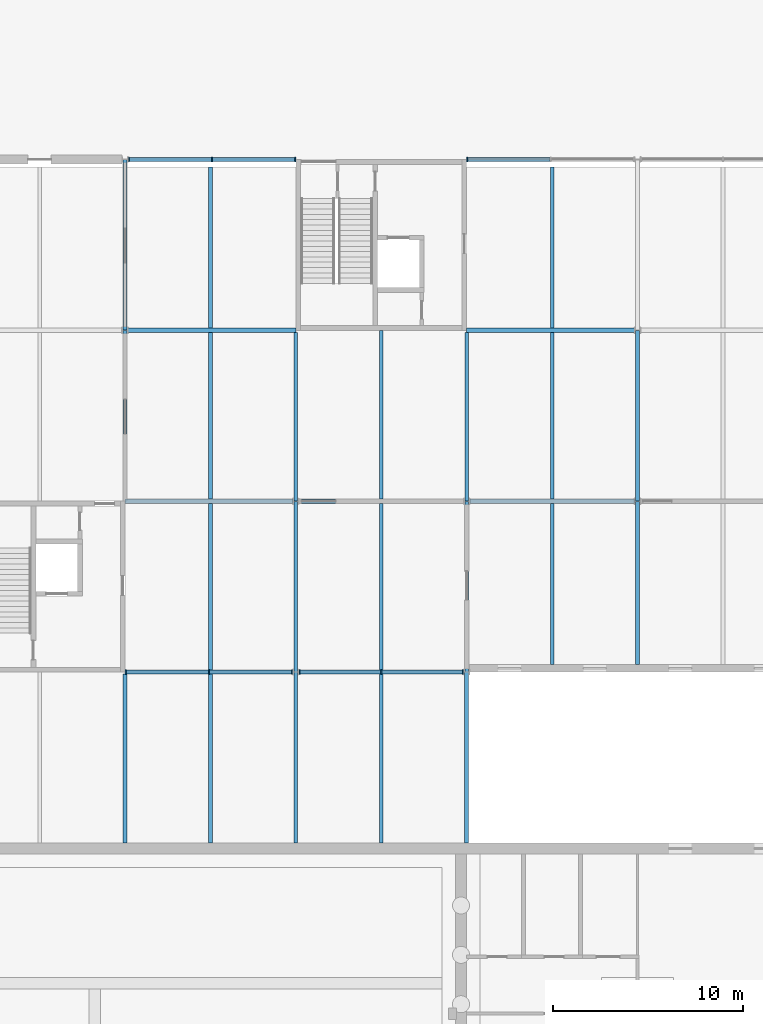
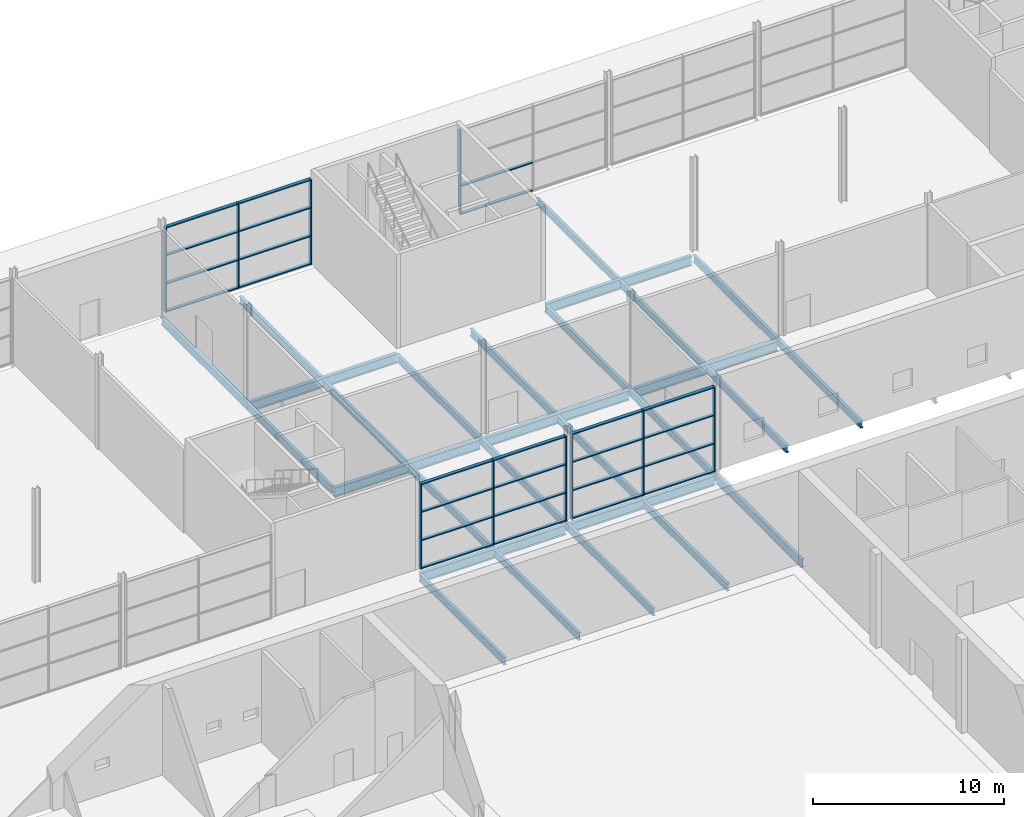
# One storey, part 51 of 97: 36 members, 28 beams, 4 elements without a shape of their own.
"""IFC4 building model written with IfcOpenShell, lengths in metres."""

from ifc_helpers import new_model, si_unit, direction, frame, origin, origin_2d, place, context, subcontext, project, spatial, rectangle, i_section, extrude, material, layer, layer_set, material_profile, profile_set, type_object, element, aggregate, save


model = new_model("IFC4")

# Units and contexts
model_context = context("Model", 3, precision=1e-05, world=origin(), true_north=direction((0.0, 1.0)))
body_context = subcontext(model_context, "Body", "Model", "MODEL_VIEW")
ifc_project = project(units=[si_unit("LENGTHUNIT", "METRE"), si_unit("AREAUNIT", "SQUARE_METRE"), si_unit("VOLUMEUNIT", "CUBIC_METRE"), si_unit("PLANEANGLEUNIT", "RADIAN"), si_unit("MASSUNIT", "GRAM", prefix="KILO")], contexts=[model_context])

# Site, building, storey
site_placement = place(None, origin())
site = spatial("IfcSite", under=ifc_project, at=site_placement, CompositionType="ELEMENT")
building_placement = place(site_placement, origin())
building = spatial("IfcBuilding", under=site, at=building_placement, Name="Corbel Yard City Hall", CompositionType="ELEMENT")
storey_placement = place(building_placement, origin())
storey = spatial("IfcBuildingStorey", under=building, at=storey_placement, Name="L00", CompositionType="ELEMENT", Elevation=0.0)

# Beams
ifc_material_1 = material(Name="Steel Grade 300 (300 MPa yield)", Category="steel")
ifc_material_profile_1 = material_profile(ifc_material_1, i_section(OverallWidth=0.19091796875, OverallDepth=0.4599609375, WebThickness=0.010009765625, FlangeThickness=0.01611328125, at=origin_2d()), Name="460UB82.1")
ifc_profile_set_1 = profile_set([ifc_material_profile_1], Name="Steel Grade 300 (300 MPa yield)")
beam_type_1 = type_object("IfcBeamType", Name="Beam 460UB82.1", PredefinedType="BEAM", material=ifc_profile_set_1)
beam_1_placement = place(storey_placement, frame((126.0, 81.0, -0.47998046875), z_axis=(0.0, 1.0, 0.0), x_axis=(-1.0, 0.0, 0.0)))
element("IfcBeam", 1, at=beam_1_placement, inside=storey, type_object=beam_type_1, Name="Beam 460UB82.1 SB2 L00deck", PredefinedType="BEAM", context=body_context, shape_type="SweptSolid", body=[
    extrude(i_section(OverallWidth=0.19091796875, OverallDepth=0.4599609375, WebThickness=0.010009765625, FlangeThickness=0.01611328125, at=origin_2d()), origin(), (0.0, 0.0, 1.0), 8.885498046875),
])
beam_2_placement = place(storey_placement, frame((126.0, 99.114501953125, -0.47998046875), z_axis=(0.0, 1.0, 0.0), x_axis=(-1.0, 0.0, 0.0)))
element("IfcBeam", 2, at=beam_2_placement, inside=storey, type_object=beam_type_1, Name="Beam 460UB82.1 SB2 L00deck", PredefinedType="BEAM", context=body_context, shape_type="SweptSolid", body=[
    extrude(i_section(OverallWidth=0.19091796875, OverallDepth=0.4599609375, WebThickness=0.010009765625, FlangeThickness=0.01611328125, at=origin_2d()), origin(), (0.0, 0.0, 1.0), 8.877685546875),
])
beam_3_placement = place(storey_placement, frame((126.0, 108.0078125, -0.47998046875), z_axis=(0.0, 1.0, 0.0), x_axis=(-1.0, 0.0, 0.0)))
element("IfcBeam", 3, at=beam_3_placement, inside=storey, type_object=beam_type_1, Name="Beam 460UB82.1 SB2 L00deck", PredefinedType="BEAM", context=body_context, shape_type="SweptSolid", body=[
    extrude(i_section(OverallWidth=0.19091796875, OverallDepth=0.4599609375, WebThickness=0.010009765625, FlangeThickness=0.01611328125, at=origin_2d()), origin(), (0.0, 0.0, 1.0), 8.984375),
])
beam_4_placement = place(storey_placement, frame((135.0, 81.0, -0.47998046875), z_axis=(0.0, 1.0, 0.0), x_axis=(-1.0, 0.0, 0.0)))
element("IfcBeam", 4, at=beam_4_placement, inside=storey, type_object=beam_type_1, Name="Beam 460UB82.1 SB2 L00deck", PredefinedType="BEAM", context=body_context, shape_type="SweptSolid", body=[
    extrude(i_section(OverallWidth=0.19091796875, OverallDepth=0.4599609375, WebThickness=0.010009765625, FlangeThickness=0.01611328125, at=origin_2d()), origin(), (0.0, 0.0, 1.0), 8.9921875),
])
beam_5_placement = place(storey_placement, frame((135.0, 90.0078125, -0.47998046875), z_axis=(0.0, 1.0, 0.0), x_axis=(-1.0, 0.0, 0.0)))
element("IfcBeam", 5, at=beam_5_placement, inside=storey, type_object=beam_type_1, Name="Beam 460UB82.1 SB2 L00deck", PredefinedType="BEAM", context=body_context, shape_type="SweptSolid", body=[
    extrude(i_section(OverallWidth=0.19091796875, OverallDepth=0.4599609375, WebThickness=0.010009765625, FlangeThickness=0.01611328125, at=origin_2d()), origin(), (0.0, 0.0, 1.0), 8.984375),
])
beam_6_placement = place(storey_placement, frame((135.0, 99.0078125, -0.47998046875), z_axis=(0.0, 1.0, 0.0), x_axis=(-1.0, 0.0, 0.0)))
element("IfcBeam", 6, at=beam_6_placement, inside=storey, type_object=beam_type_1, Name="Beam 460UB82.1 SB2 L00deck", PredefinedType="BEAM", context=body_context, shape_type="SweptSolid", body=[
    extrude(i_section(OverallWidth=0.19091796875, OverallDepth=0.4599609375, WebThickness=0.010009765625, FlangeThickness=0.01611328125, at=origin_2d()), origin(), (0.0, 0.0, 1.0), 8.877685546875),
])
beam_7_placement = place(storey_placement, frame((144.0, 90.0078125, -0.47998046875), z_axis=(0.0, 1.0, 0.0), x_axis=(-1.0, 0.0, 0.0)))
element("IfcBeam", 7, at=beam_7_placement, inside=storey, type_object=beam_type_1, Name="Beam 460UB82.1 SB2 L00deck", PredefinedType="BEAM", context=body_context, shape_type="SweptSolid", body=[
    extrude(i_section(OverallWidth=0.19091796875, OverallDepth=0.4599609375, WebThickness=0.010009765625, FlangeThickness=0.01611328125, at=origin_2d()), origin(), (0.0, 0.0, 1.0), 8.984375),
])
beam_8_placement = place(storey_placement, frame((144.0, 99.0078125, -0.47998046875), z_axis=(0.0, 1.0, 0.0), x_axis=(-1.0, 0.0, 0.0)))
element("IfcBeam", 8, at=beam_8_placement, inside=storey, type_object=beam_type_1, Name="Beam 460UB82.1 SB2 L00deck", PredefinedType="BEAM", context=body_context, shape_type="SweptSolid", body=[
    extrude(i_section(OverallWidth=0.19091796875, OverallDepth=0.4599609375, WebThickness=0.010009765625, FlangeThickness=0.01611328125, at=origin_2d()), origin(), (0.0, 0.0, 1.0), 8.877685546875),
])
beam_9_placement = place(storey_placement, frame((153.0, 90.39990234375, -0.47998046875), z_axis=(0.0, 1.0, 0.0), x_axis=(-1.0, 0.0, 0.0)))
element("IfcBeam", 9, at=beam_9_placement, inside=storey, type_object=beam_type_1, Name="Beam 460UB82.1 SB2 L00deck", PredefinedType="BEAM", context=body_context, shape_type="SweptSolid", body=[
    extrude(i_section(OverallWidth=0.19091796875, OverallDepth=0.4599609375, WebThickness=0.010009765625, FlangeThickness=0.01611328125, at=origin_2d()), origin(), (0.0, 0.0, 1.0), 8.59228515625),
])
beam_10_placement = place(storey_placement, frame((153.0, 99.0078125, -0.47998046875), z_axis=(0.0, 1.0, 0.0), x_axis=(-1.0, 0.0, 0.0)))
element("IfcBeam", 10, at=beam_10_placement, inside=storey, type_object=beam_type_1, Name="Beam 460UB82.1 SB2 L00deck", PredefinedType="BEAM", context=body_context, shape_type="SweptSolid", body=[
    extrude(i_section(OverallWidth=0.19091796875, OverallDepth=0.4599609375, WebThickness=0.010009765625, FlangeThickness=0.01611328125, at=origin_2d()), origin(), (0.0, 0.0, 1.0), 8.984375),
])
ifc_material_profile_2 = material_profile(ifc_material_1, i_section(OverallWidth=0.208984375, OverallDepth=0.532958984375, WebThickness=0.01025390625, FlangeThickness=0.015625, at=origin_2d()), Name="530UB92.4")
ifc_profile_set_2 = profile_set([ifc_material_profile_2], Name="Steel Grade 300 (300 MPa yield)")
beam_type_2 = type_object("IfcBeamType", Name="Edge beam 530UB92.4", PredefinedType="BEAM", material=ifc_profile_set_2)
beam_11_placement = place(storey_placement, frame((144.0, 81.0, -0.5166015625), z_axis=(0.0, 1.0, 0.0), x_axis=(-1.0, 0.0, 0.0)))
element("IfcBeam", 11, at=beam_11_placement, inside=storey, type_object=beam_type_2, Name="Edge beam 530UB92.4 EB1 L00deck", PredefinedType="BEAM", context=body_context, shape_type="SweptSolid", body=[
    extrude(i_section(OverallWidth=0.208984375, OverallDepth=0.532958984375, WebThickness=0.01025390625, FlangeThickness=0.015625, at=origin_2d()), origin(), (0.0, 0.0, 1.0), 8.9921875),
])
ifc_material_profile_3 = material_profile(ifc_material_1, i_section(OverallWidth=0.22900390625, OverallDepth=0.612060546875, WebThickness=0.011962890625, FlangeThickness=0.01953125, at=origin_2d()), Name="610UB125")
ifc_profile_set_3 = profile_set([ifc_material_profile_3], Name="Steel Grade 300 (300 MPa yield)")
beam_type_3 = type_object("IfcBeamType", Name="Girder 610UB125", PredefinedType="BEAM", material=ifc_profile_set_3)
beam_12_placement = place(storey_placement, frame((126.0, 90.0, -0.555908203125), z_axis=(1.0, 0.0, 0.0), x_axis=(0.0, 1.0, 0.0)))
element("IfcBeam", 12, at=beam_12_placement, inside=storey, type_object=beam_type_3, Name="Girder 610UB125 GB1 L00deck", PredefinedType="BEAM", context=body_context, shape_type="SweptSolid", body=[
    extrude(i_section(OverallWidth=0.22900390625, OverallDepth=0.612060546875, WebThickness=0.011962890625, FlangeThickness=0.01953125, at=origin_2d()), origin(), (0.0, 0.0, 1.0), 8.83642578125),
])
beam_13_placement = place(storey_placement, frame((135.16357421875, 90.0, -0.555908203125), z_axis=(1.0, 0.0, 0.0), x_axis=(0.0, 1.0, 0.0)))
element("IfcBeam", 13, at=beam_13_placement, inside=storey, type_object=beam_type_3, Name="Girder 610UB125 GB1 L00deck", PredefinedType="BEAM", context=body_context, shape_type="SweptSolid", body=[
    extrude(i_section(OverallWidth=0.22900390625, OverallDepth=0.612060546875, WebThickness=0.011962890625, FlangeThickness=0.01953125, at=origin_2d()), origin(), (0.0, 0.0, 1.0), 8.6728515625),
])
beam_14_placement = place(storey_placement, frame((126.0, 99.0, -0.555908203125), z_axis=(1.0, 0.0, 0.0), x_axis=(0.0, 1.0, 0.0)))
element("IfcBeam", 14, at=beam_14_placement, inside=storey, type_object=beam_type_3, Name="Girder 610UB125 GB1 L00deck", PredefinedType="BEAM", context=body_context, shape_type="SweptSolid", body=[
    extrude(i_section(OverallWidth=0.22900390625, OverallDepth=0.612060546875, WebThickness=0.011962890625, FlangeThickness=0.01953125, at=origin_2d()), origin(), (0.0, 0.0, 1.0), 8.83642578125),
])
for number, where, z_axis, x_axis, name in (
    (15, (135.16357421875, 99.0, -0.555908203125), (1.0, 0.0, 0.0), (0.0, 1.0, 0.0), "Girder 610UB125 GB1 L00deck"),
    (16, (144.16357421875, 99.0, -0.555908203125), (1.0, 0.0, 0.0), (0.0, 1.0, 0.0), "Girder 610UB125 GB1 L00deck"),
):
    element("IfcBeam", number, at=place(storey_placement, frame(where, z_axis=z_axis, x_axis=x_axis)), inside=storey, type_object=beam_type_3, Name=name, PredefinedType="BEAM", context=body_context, shape_type="SweptSolid", body=[
        extrude(i_section(OverallWidth=0.22900390625, OverallDepth=0.612060546875, WebThickness=0.011962890625, FlangeThickness=0.01953125, at=origin_2d()), origin(), (0.0, 0.0, 1.0), 8.6728515625),
    ])
for number, where, z_axis, x_axis, name in (
    (17, (126.16357421875, 108.0, -0.555908203125), (1.0, 0.0, 0.0), (0.0, 1.0, 0.0), "Girder 610UB125 GB1 L00deck"),
    (18, (144.0, 108.0, -0.555908203125), (1.0, 0.0, 0.0), (0.0, 1.0, 0.0), "Girder 610UB125 GB1 L00deck"),
):
    element("IfcBeam", number, at=place(storey_placement, frame(where, z_axis=z_axis, x_axis=x_axis)), inside=storey, type_object=beam_type_3, Name=name, PredefinedType="BEAM", context=body_context, shape_type="SweptSolid", body=[
        extrude(i_section(OverallWidth=0.22900390625, OverallDepth=0.612060546875, WebThickness=0.011962890625, FlangeThickness=0.01953125, at=origin_2d()), origin(), (0.0, 0.0, 1.0), 8.83642578125),
    ])

# Curtain wall, members
ifc_material_2 = material(Name="Aluminium extrusion", Category="aluminium")
ifc_layer = layer(ifc_material_2, 0.25)
ifc_layer_set = layer_set([ifc_layer], Name="Aluminium extrusion")
curtain_wall_type = type_object("IfcCurtainWallType", Name="CW4", PredefinedType="USERDEFINED", material=ifc_layer_set)
curtain_wall_1_placement = place(storey_placement, origin())
curtain_wall_1 = element("IfcCurtainWall", 19, at=curtain_wall_1_placement, inside=storey, type_object=curtain_wall_type, Name="Curtain wall CW4 L00", ObjectType="CURTAIN WALL", PredefinedType="USERDEFINED")
ifc_material_profile_4 = material_profile(ifc_material_2, rectangle(XDim=0.25, YDim=0.06494140625, at=origin_2d()), Name="250x65")
ifc_profile_set_4 = profile_set([ifc_material_profile_4], Name="Aluminium extrusion")
member_type_1 = type_object("IfcMemberType", Name="ML4", PredefinedType="MULLION", material=ifc_profile_set_4)
member_1_placement = place(storey_placement, frame((126.032470703125, 90.0, 0.0), z_axis=(0.0, 0.0, 1.0), x_axis=(0.0, 1.0, 0.0)))
member_1 = element("IfcMember", 20, at=member_1_placement, type_object=member_type_1, Name="CW4 mullion 1", PredefinedType="MULLION", context=body_context, shape_type="SweptSolid", body=[
    extrude(rectangle(XDim=0.25, YDim=0.06494140625, at=origin_2d()), origin(), (0.0, 0.0, 1.0), 5.444091796875),
])
member_2_placement = place(storey_placement, frame((130.421142578125, 90.0, 0.0), z_axis=(0.0, 0.0, 1.0), x_axis=(0.0, 1.0, 0.0)))
member_2 = element("IfcMember", 21, at=member_2_placement, type_object=member_type_1, Name="CW4 mullion 2", PredefinedType="MULLION", context=body_context, shape_type="SweptSolid", body=[
    extrude(rectangle(XDim=0.25, YDim=0.06494140625, at=origin_2d()), origin(), (0.0, 0.0, 1.0), 5.444091796875),
])
member_3_placement = place(storey_placement, frame((134.81005859375, 90.0, 0.0), z_axis=(0.0, 0.0, 1.0), x_axis=(0.0, 1.0, 0.0)))
member_3 = element("IfcMember", 22, at=member_3_placement, type_object=member_type_1, Name="CW4 mullion 3", PredefinedType="MULLION", context=body_context, shape_type="SweptSolid", body=[
    extrude(rectangle(XDim=0.25, YDim=0.06494140625, at=origin_2d()), origin(), (0.0, 0.0, 1.0), 5.444091796875),
])

curtain_wall_2_placement = place(storey_placement, origin())
curtain_wall_2 = element("IfcCurtainWall", 23, at=curtain_wall_2_placement, inside=storey, type_object=curtain_wall_type, Name="Curtain wall CW4 L00", ObjectType="CURTAIN WALL", PredefinedType="USERDEFINED")
member_4_placement = place(storey_placement, frame((135.18994140625, 90.0, 0.0), z_axis=(0.0, 0.0, 1.0), x_axis=(0.0, 1.0, 0.0)))
member_4 = element("IfcMember", 24, at=member_4_placement, type_object=member_type_1, Name="CW4 mullion 1", PredefinedType="MULLION", context=body_context, shape_type="SweptSolid", body=[
    extrude(rectangle(XDim=0.25, YDim=0.06494140625, at=origin_2d()), origin(), (0.0, 0.0, 1.0), 5.444091796875),
])
member_5_placement = place(storey_placement, frame((139.5, 90.0, 0.0), z_axis=(0.0, 0.0, 1.0), x_axis=(0.0, 1.0, 0.0)))
member_5 = element("IfcMember", 25, at=member_5_placement, type_object=member_type_1, Name="CW4 mullion 2", PredefinedType="MULLION", context=body_context, shape_type="SweptSolid", body=[
    extrude(rectangle(XDim=0.25, YDim=0.06494140625, at=origin_2d()), origin(), (0.0, 0.0, 1.0), 5.444091796875),
])
member_6_placement = place(storey_placement, frame((143.81005859375, 90.0, 0.0), z_axis=(0.0, 0.0, 1.0), x_axis=(0.0, 1.0, 0.0)))
member_6 = element("IfcMember", 26, at=member_6_placement, type_object=member_type_1, Name="CW4 mullion 3", PredefinedType="MULLION", context=body_context, shape_type="SweptSolid", body=[
    extrude(rectangle(XDim=0.25, YDim=0.06494140625, at=origin_2d()), origin(), (0.0, 0.0, 1.0), 5.444091796875),
])

curtain_wall_3_placement = place(storey_placement, origin())
curtain_wall_3 = element("IfcCurtainWall", 27, at=curtain_wall_3_placement, inside=storey, type_object=curtain_wall_type, Name="Curtain wall CW4 L00", ObjectType="CURTAIN WALL", PredefinedType="USERDEFINED")
member_7_placement = place(storey_placement, frame((126.18994140625, 117.0, 0.0), z_axis=(0.0, 0.0, 1.0), x_axis=(0.0, 1.0, 0.0)))
member_7 = element("IfcMember", 28, at=member_7_placement, type_object=member_type_1, Name="CW4 mullion 1", PredefinedType="MULLION", context=body_context, shape_type="SweptSolid", body=[
    extrude(rectangle(XDim=0.25, YDim=0.06494140625, at=origin_2d()), origin(), (0.0, 0.0, 1.0), 5.444091796875),
])
member_8_placement = place(storey_placement, frame((130.578857421875, 117.0, 0.0), z_axis=(0.0, 0.0, 1.0), x_axis=(0.0, 1.0, 0.0)))
member_8 = element("IfcMember", 29, at=member_8_placement, type_object=member_type_1, Name="CW4 mullion 2", PredefinedType="MULLION", context=body_context, shape_type="SweptSolid", body=[
    extrude(rectangle(XDim=0.25, YDim=0.06494140625, at=origin_2d()), origin(), (0.0, 0.0, 1.0), 5.444091796875),
])
member_9_placement = place(storey_placement, frame((134.967529296875, 117.0, 0.0), z_axis=(0.0, 0.0, 1.0), x_axis=(0.0, 1.0, 0.0)))
member_9 = element("IfcMember", 30, at=member_9_placement, type_object=member_type_1, Name="CW4 mullion 3", PredefinedType="MULLION", context=body_context, shape_type="SweptSolid", body=[
    extrude(rectangle(XDim=0.25, YDim=0.06494140625, at=origin_2d()), origin(), (0.0, 0.0, 1.0), 5.444091796875),
])

# Curtain wall, member
curtain_wall_4_placement = place(storey_placement, origin())
curtain_wall_4 = element("IfcCurtainWall", 31, at=curtain_wall_4_placement, inside=storey, type_object=curtain_wall_type, Name="Curtain wall CW4 L00", ObjectType="CURTAIN WALL", PredefinedType="USERDEFINED")
member_10_placement = place(storey_placement, frame((144.032470703125, 117.0, 0.0), z_axis=(0.0, 0.0, 1.0), x_axis=(0.0, 1.0, 0.0)))
member_10 = element("IfcMember", 32, at=member_10_placement, type_object=member_type_1, Name="CW4 mullion 1", PredefinedType="MULLION", context=body_context, shape_type="SweptSolid", body=[
    extrude(rectangle(XDim=0.25, YDim=0.06494140625, at=origin_2d()), origin(), (0.0, 0.0, 1.0), 5.444091796875),
])

# Beams
ifc_material_profile_5 = material_profile(ifc_material_1, i_section(OverallWidth=0.19091796875, OverallDepth=0.4599609375, WebThickness=0.010009765625, FlangeThickness=0.01611328125, at=origin_2d()), Name="460UB82.1")
ifc_profile_set_5 = profile_set([ifc_material_profile_5], Name="Steel Grade 300 (300 MPa yield)")
beam_type_4 = type_object("IfcBeamType", Name="Secondary beam 460UB82.1", PredefinedType="JOIST", material=ifc_profile_set_5)
beam_15_placement = place(storey_placement, frame((130.5, 81.0, -0.47998046875), z_axis=(0.0, 1.0, 0.0), x_axis=(-1.0, 0.0, 0.0)))
element("IfcBeam", 33, at=beam_15_placement, inside=storey, type_object=beam_type_4, Name="Secondary beam 460UB82.1 SB1 L00deck", PredefinedType="JOIST", context=body_context, shape_type="SweptSolid", body=[
    extrude(i_section(OverallWidth=0.19091796875, OverallDepth=0.4599609375, WebThickness=0.010009765625, FlangeThickness=0.01611328125, at=origin_2d()), origin(), (0.0, 0.0, 1.0), 8.885498046875),
])
for number, where, z_axis, x_axis, name in (
    (34, (130.5, 90.114501953125, -0.47998046875), (0.0, 1.0, 0.0), (-1.0, 0.0, 0.0), "Secondary beam 460UB82.1 SB1 L00deck"),
    (35, (130.5, 99.114501953125, -0.47998046875), (0.0, 1.0, 0.0), (-1.0, 0.0, 0.0), "Secondary beam 460UB82.1 SB1 L00deck"),
):
    element("IfcBeam", number, at=place(storey_placement, frame(where, z_axis=z_axis, x_axis=x_axis)), inside=storey, type_object=beam_type_4, Name=name, PredefinedType="JOIST", context=body_context, shape_type="SweptSolid", body=[
        extrude(i_section(OverallWidth=0.19091796875, OverallDepth=0.4599609375, WebThickness=0.010009765625, FlangeThickness=0.01611328125, at=origin_2d()), origin(), (0.0, 0.0, 1.0), 8.77099609375),
    ])
beam_16_placement = place(storey_placement, frame((130.5, 108.114501953125, -0.47998046875), z_axis=(0.0, 1.0, 0.0), x_axis=(-1.0, 0.0, 0.0)))
element("IfcBeam", 36, at=beam_16_placement, inside=storey, type_object=beam_type_4, Name="Secondary beam 460UB82.1 SB1 L00deck", PredefinedType="JOIST", context=body_context, shape_type="SweptSolid", body=[
    extrude(i_section(OverallWidth=0.19091796875, OverallDepth=0.4599609375, WebThickness=0.010009765625, FlangeThickness=0.01611328125, at=origin_2d()), origin(), (0.0, 0.0, 1.0), 8.485595703125),
])
beam_17_placement = place(storey_placement, frame((139.5, 81.0, -0.47998046875), z_axis=(0.0, 1.0, 0.0), x_axis=(-1.0, 0.0, 0.0)))
element("IfcBeam", 37, at=beam_17_placement, inside=storey, type_object=beam_type_4, Name="Secondary beam 460UB82.1 SB1 L00deck", PredefinedType="JOIST", context=body_context, shape_type="SweptSolid", body=[
    extrude(i_section(OverallWidth=0.19091796875, OverallDepth=0.4599609375, WebThickness=0.010009765625, FlangeThickness=0.01611328125, at=origin_2d()), origin(), (0.0, 0.0, 1.0), 8.885498046875),
])
beam_18_placement = place(storey_placement, frame((139.5, 90.114501953125, -0.47998046875), z_axis=(0.0, 1.0, 0.0), x_axis=(-1.0, 0.0, 0.0)))
element("IfcBeam", 38, at=beam_18_placement, inside=storey, type_object=beam_type_4, Name="Secondary beam 460UB82.1 SB1 L00deck", PredefinedType="JOIST", context=body_context, shape_type="SweptSolid", body=[
    extrude(i_section(OverallWidth=0.19091796875, OverallDepth=0.4599609375, WebThickness=0.010009765625, FlangeThickness=0.01611328125, at=origin_2d()), origin(), (0.0, 0.0, 1.0), 8.77099609375),
])
beam_19_placement = place(storey_placement, frame((139.5, 99.114501953125, -0.47998046875), z_axis=(0.0, 1.0, 0.0), x_axis=(-1.0, 0.0, 0.0)))
element("IfcBeam", 39, at=beam_19_placement, inside=storey, type_object=beam_type_4, Name="Secondary beam 460UB82.1 SB1 L00deck", PredefinedType="JOIST", context=body_context, shape_type="SweptSolid", body=[
    extrude(i_section(OverallWidth=0.19091796875, OverallDepth=0.4599609375, WebThickness=0.010009765625, FlangeThickness=0.01611328125, at=origin_2d()), origin(), (0.0, 0.0, 1.0), 8.885498046875),
])
beam_20_placement = place(storey_placement, frame((148.5, 90.39990234375, -0.47998046875), z_axis=(0.0, 1.0, 0.0), x_axis=(-1.0, 0.0, 0.0)))
element("IfcBeam", 40, at=beam_20_placement, inside=storey, type_object=beam_type_4, Name="Secondary beam 460UB82.1 SB1 L00deck", PredefinedType="JOIST", context=body_context, shape_type="SweptSolid", body=[
    extrude(i_section(OverallWidth=0.19091796875, OverallDepth=0.4599609375, WebThickness=0.010009765625, FlangeThickness=0.01611328125, at=origin_2d()), origin(), (0.0, 0.0, 1.0), 8.485595703125),
])
beam_21_placement = place(storey_placement, frame((148.5, 99.114501953125, -0.47998046875), z_axis=(0.0, 1.0, 0.0), x_axis=(-1.0, 0.0, 0.0)))
element("IfcBeam", 41, at=beam_21_placement, inside=storey, type_object=beam_type_4, Name="Secondary beam 460UB82.1 SB1 L00deck", PredefinedType="JOIST", context=body_context, shape_type="SweptSolid", body=[
    extrude(i_section(OverallWidth=0.19091796875, OverallDepth=0.4599609375, WebThickness=0.010009765625, FlangeThickness=0.01611328125, at=origin_2d()), origin(), (0.0, 0.0, 1.0), 8.77099609375),
])
beam_22_placement = place(storey_placement, frame((148.5, 108.114501953125, -0.47998046875), z_axis=(0.0, 1.0, 0.0), x_axis=(-1.0, 0.0, 0.0)))
element("IfcBeam", 42, at=beam_22_placement, inside=storey, type_object=beam_type_4, Name="Secondary beam 460UB82.1 SB1 L00deck", PredefinedType="JOIST", context=body_context, shape_type="SweptSolid", body=[
    extrude(i_section(OverallWidth=0.19091796875, OverallDepth=0.4599609375, WebThickness=0.010009765625, FlangeThickness=0.01611328125, at=origin_2d()), origin(), (0.0, 0.0, 1.0), 8.485595703125),
])

# Member
ifc_material_profile_6 = material_profile(ifc_material_2, rectangle(XDim=0.199951171875, YDim=0.06494140625, at=origin_2d()), Name="200x65")
ifc_profile_set_6 = profile_set([ifc_material_profile_6], Name="Aluminium extrusion")
member_type_2 = type_object("IfcMemberType", Name="TR4", PredefinedType="USERDEFINED", material=ifc_profile_set_6)
member_11_placement = place(storey_placement, frame((126.06494140625, 90.0, 0.032470703125), z_axis=(1.0, 0.0, 0.0), x_axis=(0.0, 1.0, 0.0)))
member_11 = element("IfcMember", 43, at=member_11_placement, type_object=member_type_2, Name="CW4 transom 1.1", ObjectType="TRANSOM", PredefinedType="USERDEFINED", context=body_context, shape_type="SweptSolid", body=[
    extrude(rectangle(XDim=0.199951171875, YDim=0.06494140625, at=origin_2d()), origin(), (0.0, 0.0, 1.0), 4.32373046875),
])

member_12_placement = place(storey_placement, frame((126.06494140625, 90.0, 1.814697265625), z_axis=(1.0, 0.0, 0.0), x_axis=(0.0, 1.0, 0.0)))
member_12 = element("IfcMember", 44, at=member_12_placement, type_object=member_type_2, Name="CW4 transom 1.2", ObjectType="TRANSOM", PredefinedType="USERDEFINED", context=body_context, shape_type="SweptSolid", body=[
    extrude(rectangle(XDim=0.199951171875, YDim=0.06494140625, at=origin_2d()), origin(), (0.0, 0.0, 1.0), 4.32373046875),
])

member_13_placement = place(storey_placement, frame((126.06494140625, 90.0, 3.62939453125), z_axis=(1.0, 0.0, 0.0), x_axis=(0.0, 1.0, 0.0)))
member_13 = element("IfcMember", 45, at=member_13_placement, type_object=member_type_2, Name="CW4 transom 1.3", ObjectType="TRANSOM", PredefinedType="USERDEFINED", context=body_context, shape_type="SweptSolid", body=[
    extrude(rectangle(XDim=0.199951171875, YDim=0.06494140625, at=origin_2d()), origin(), (0.0, 0.0, 1.0), 4.32373046875),
])

member_14_placement = place(storey_placement, frame((126.06494140625, 90.0, 5.41162109375), z_axis=(1.0, 0.0, 0.0), x_axis=(0.0, 1.0, 0.0)))
member_14 = element("IfcMember", 46, at=member_14_placement, type_object=member_type_2, Name="CW4 transom 1.4", ObjectType="TRANSOM", PredefinedType="USERDEFINED", context=body_context, shape_type="SweptSolid", body=[
    extrude(rectangle(XDim=0.199951171875, YDim=0.06494140625, at=origin_2d()), origin(), (0.0, 0.0, 1.0), 4.32373046875),
])

member_15_placement = place(storey_placement, frame((130.453857421875, 90.0, 0.032470703125), z_axis=(1.0, 0.0, 0.0), x_axis=(0.0, 1.0, 0.0)))
member_15 = element("IfcMember", 47, at=member_15_placement, type_object=member_type_2, Name="CW4 transom 2.1", ObjectType="TRANSOM", PredefinedType="USERDEFINED", context=body_context, shape_type="SweptSolid", body=[
    extrude(rectangle(XDim=0.199951171875, YDim=0.06494140625, at=origin_2d()), origin(), (0.0, 0.0, 1.0), 4.32373046875),
])

member_16_placement = place(storey_placement, frame((130.453857421875, 90.0, 1.814697265625), z_axis=(1.0, 0.0, 0.0), x_axis=(0.0, 1.0, 0.0)))
member_16 = element("IfcMember", 48, at=member_16_placement, type_object=member_type_2, Name="CW4 transom 2.2", ObjectType="TRANSOM", PredefinedType="USERDEFINED", context=body_context, shape_type="SweptSolid", body=[
    extrude(rectangle(XDim=0.199951171875, YDim=0.06494140625, at=origin_2d()), origin(), (0.0, 0.0, 1.0), 4.32373046875),
])

member_17_placement = place(storey_placement, frame((130.453857421875, 90.0, 3.62939453125), z_axis=(1.0, 0.0, 0.0), x_axis=(0.0, 1.0, 0.0)))
member_17 = element("IfcMember", 49, at=member_17_placement, type_object=member_type_2, Name="CW4 transom 2.3", ObjectType="TRANSOM", PredefinedType="USERDEFINED", context=body_context, shape_type="SweptSolid", body=[
    extrude(rectangle(XDim=0.199951171875, YDim=0.06494140625, at=origin_2d()), origin(), (0.0, 0.0, 1.0), 4.32373046875),
])

member_18_placement = place(storey_placement, frame((130.453857421875, 90.0, 5.41162109375), z_axis=(1.0, 0.0, 0.0), x_axis=(0.0, 1.0, 0.0)))
member_18 = element("IfcMember", 50, at=member_18_placement, type_object=member_type_2, Name="CW4 transom 2.4", ObjectType="TRANSOM", PredefinedType="USERDEFINED", context=body_context, shape_type="SweptSolid", body=[
    extrude(rectangle(XDim=0.199951171875, YDim=0.06494140625, at=origin_2d()), origin(), (0.0, 0.0, 1.0), 4.32373046875),
])

aggregate(curtain_wall_1, [member_1, member_2, member_3, member_11, member_12, member_13, member_14, member_15, member_16, member_17, member_18])

member_19_placement = place(storey_placement, frame((135.222412109375, 90.0, 0.032470703125), z_axis=(1.0, 0.0, 0.0), x_axis=(0.0, 1.0, 0.0)))
member_19 = element("IfcMember", 51, at=member_19_placement, type_object=member_type_2, Name="CW4 transom 1.1", ObjectType="TRANSOM", PredefinedType="USERDEFINED", context=body_context, shape_type="SweptSolid", body=[
    extrude(rectangle(XDim=0.199951171875, YDim=0.06494140625, at=origin_2d()), origin(), (0.0, 0.0, 1.0), 4.2451171875),
])

member_20_placement = place(storey_placement, frame((135.222412109375, 90.0, 1.814697265625), z_axis=(1.0, 0.0, 0.0), x_axis=(0.0, 1.0, 0.0)))
member_20 = element("IfcMember", 52, at=member_20_placement, type_object=member_type_2, Name="CW4 transom 1.2", ObjectType="TRANSOM", PredefinedType="USERDEFINED", context=body_context, shape_type="SweptSolid", body=[
    extrude(rectangle(XDim=0.199951171875, YDim=0.06494140625, at=origin_2d()), origin(), (0.0, 0.0, 1.0), 4.2451171875),
])

member_21_placement = place(storey_placement, frame((135.222412109375, 90.0, 3.62939453125), z_axis=(1.0, 0.0, 0.0), x_axis=(0.0, 1.0, 0.0)))
member_21 = element("IfcMember", 53, at=member_21_placement, type_object=member_type_2, Name="CW4 transom 1.3", ObjectType="TRANSOM", PredefinedType="USERDEFINED", context=body_context, shape_type="SweptSolid", body=[
    extrude(rectangle(XDim=0.199951171875, YDim=0.06494140625, at=origin_2d()), origin(), (0.0, 0.0, 1.0), 4.2451171875),
])

member_22_placement = place(storey_placement, frame((135.222412109375, 90.0, 5.41162109375), z_axis=(1.0, 0.0, 0.0), x_axis=(0.0, 1.0, 0.0)))
member_22 = element("IfcMember", 54, at=member_22_placement, type_object=member_type_2, Name="CW4 transom 1.4", ObjectType="TRANSOM", PredefinedType="USERDEFINED", context=body_context, shape_type="SweptSolid", body=[
    extrude(rectangle(XDim=0.199951171875, YDim=0.06494140625, at=origin_2d()), origin(), (0.0, 0.0, 1.0), 4.2451171875),
])

member_23_placement = place(storey_placement, frame((139.532470703125, 90.0, 0.032470703125), z_axis=(1.0, 0.0, 0.0), x_axis=(0.0, 1.0, 0.0)))
member_23 = element("IfcMember", 55, at=member_23_placement, type_object=member_type_2, Name="CW4 transom 2.1", ObjectType="TRANSOM", PredefinedType="USERDEFINED", context=body_context, shape_type="SweptSolid", body=[
    extrude(rectangle(XDim=0.199951171875, YDim=0.06494140625, at=origin_2d()), origin(), (0.0, 0.0, 1.0), 4.2451171875),
])

member_24_placement = place(storey_placement, frame((139.532470703125, 90.0, 1.814697265625), z_axis=(1.0, 0.0, 0.0), x_axis=(0.0, 1.0, 0.0)))
member_24 = element("IfcMember", 56, at=member_24_placement, type_object=member_type_2, Name="CW4 transom 2.2", ObjectType="TRANSOM", PredefinedType="USERDEFINED", context=body_context, shape_type="SweptSolid", body=[
    extrude(rectangle(XDim=0.199951171875, YDim=0.06494140625, at=origin_2d()), origin(), (0.0, 0.0, 1.0), 4.2451171875),
])

member_25_placement = place(storey_placement, frame((139.532470703125, 90.0, 3.62939453125), z_axis=(1.0, 0.0, 0.0), x_axis=(0.0, 1.0, 0.0)))
member_25 = element("IfcMember", 57, at=member_25_placement, type_object=member_type_2, Name="CW4 transom 2.3", ObjectType="TRANSOM", PredefinedType="USERDEFINED", context=body_context, shape_type="SweptSolid", body=[
    extrude(rectangle(XDim=0.199951171875, YDim=0.06494140625, at=origin_2d()), origin(), (0.0, 0.0, 1.0), 4.2451171875),
])

member_26_placement = place(storey_placement, frame((139.532470703125, 90.0, 5.41162109375), z_axis=(1.0, 0.0, 0.0), x_axis=(0.0, 1.0, 0.0)))
member_26 = element("IfcMember", 58, at=member_26_placement, type_object=member_type_2, Name="CW4 transom 2.4", ObjectType="TRANSOM", PredefinedType="USERDEFINED", context=body_context, shape_type="SweptSolid", body=[
    extrude(rectangle(XDim=0.199951171875, YDim=0.06494140625, at=origin_2d()), origin(), (0.0, 0.0, 1.0), 4.2451171875),
])

aggregate(curtain_wall_2, [member_4, member_5, member_6, member_19, member_20, member_21, member_22, member_23, member_24, member_25, member_26])

member_27_placement = place(storey_placement, frame((126.222412109375, 117.0, 0.032470703125), z_axis=(1.0, 0.0, 0.0), x_axis=(0.0, 1.0, 0.0)))
member_27 = element("IfcMember", 59, at=member_27_placement, type_object=member_type_2, Name="CW4 transom 1.1", ObjectType="TRANSOM", PredefinedType="USERDEFINED", context=body_context, shape_type="SweptSolid", body=[
    extrude(rectangle(XDim=0.199951171875, YDim=0.06494140625, at=origin_2d()), origin(), (0.0, 0.0, 1.0), 4.32373046875),
])

member_28_placement = place(storey_placement, frame((126.222412109375, 117.0, 1.814697265625), z_axis=(1.0, 0.0, 0.0), x_axis=(0.0, 1.0, 0.0)))
member_28 = element("IfcMember", 60, at=member_28_placement, type_object=member_type_2, Name="CW4 transom 1.2", ObjectType="TRANSOM", PredefinedType="USERDEFINED", context=body_context, shape_type="SweptSolid", body=[
    extrude(rectangle(XDim=0.199951171875, YDim=0.06494140625, at=origin_2d()), origin(), (0.0, 0.0, 1.0), 4.32373046875),
])

member_29_placement = place(storey_placement, frame((126.222412109375, 117.0, 3.62939453125), z_axis=(1.0, 0.0, 0.0), x_axis=(0.0, 1.0, 0.0)))
member_29 = element("IfcMember", 61, at=member_29_placement, type_object=member_type_2, Name="CW4 transom 1.3", ObjectType="TRANSOM", PredefinedType="USERDEFINED", context=body_context, shape_type="SweptSolid", body=[
    extrude(rectangle(XDim=0.199951171875, YDim=0.06494140625, at=origin_2d()), origin(), (0.0, 0.0, 1.0), 4.32373046875),
])

member_30_placement = place(storey_placement, frame((126.222412109375, 117.0, 5.41162109375), z_axis=(1.0, 0.0, 0.0), x_axis=(0.0, 1.0, 0.0)))
member_30 = element("IfcMember", 62, at=member_30_placement, type_object=member_type_2, Name="CW4 transom 1.4", ObjectType="TRANSOM", PredefinedType="USERDEFINED", context=body_context, shape_type="SweptSolid", body=[
    extrude(rectangle(XDim=0.199951171875, YDim=0.06494140625, at=origin_2d()), origin(), (0.0, 0.0, 1.0), 4.32373046875),
])

member_31_placement = place(storey_placement, frame((130.611328125, 117.0, 0.032470703125), z_axis=(1.0, 0.0, 0.0), x_axis=(0.0, 1.0, 0.0)))
member_31 = element("IfcMember", 63, at=member_31_placement, type_object=member_type_2, Name="CW4 transom 2.1", ObjectType="TRANSOM", PredefinedType="USERDEFINED", context=body_context, shape_type="SweptSolid", body=[
    extrude(rectangle(XDim=0.199951171875, YDim=0.06494140625, at=origin_2d()), origin(), (0.0, 0.0, 1.0), 4.32373046875),
])

member_32_placement = place(storey_placement, frame((130.611328125, 117.0, 1.814697265625), z_axis=(1.0, 0.0, 0.0), x_axis=(0.0, 1.0, 0.0)))
member_32 = element("IfcMember", 64, at=member_32_placement, type_object=member_type_2, Name="CW4 transom 2.2", ObjectType="TRANSOM", PredefinedType="USERDEFINED", context=body_context, shape_type="SweptSolid", body=[
    extrude(rectangle(XDim=0.199951171875, YDim=0.06494140625, at=origin_2d()), origin(), (0.0, 0.0, 1.0), 4.32373046875),
])

member_33_placement = place(storey_placement, frame((130.611328125, 117.0, 3.62939453125), z_axis=(1.0, 0.0, 0.0), x_axis=(0.0, 1.0, 0.0)))
member_33 = element("IfcMember", 65, at=member_33_placement, type_object=member_type_2, Name="CW4 transom 2.3", ObjectType="TRANSOM", PredefinedType="USERDEFINED", context=body_context, shape_type="SweptSolid", body=[
    extrude(rectangle(XDim=0.199951171875, YDim=0.06494140625, at=origin_2d()), origin(), (0.0, 0.0, 1.0), 4.32373046875),
])

member_34_placement = place(storey_placement, frame((130.611328125, 117.0, 5.41162109375), z_axis=(1.0, 0.0, 0.0), x_axis=(0.0, 1.0, 0.0)))
member_34 = element("IfcMember", 66, at=member_34_placement, type_object=member_type_2, Name="CW4 transom 2.4", ObjectType="TRANSOM", PredefinedType="USERDEFINED", context=body_context, shape_type="SweptSolid", body=[
    extrude(rectangle(XDim=0.199951171875, YDim=0.06494140625, at=origin_2d()), origin(), (0.0, 0.0, 1.0), 4.32373046875),
])

aggregate(curtain_wall_3, [member_7, member_8, member_9, member_27, member_28, member_29, member_30, member_31, member_32, member_33, member_34])

member_35_placement = place(storey_placement, frame((144.06494140625, 117.0, 0.032470703125), z_axis=(1.0, 0.0, 0.0), x_axis=(0.0, 1.0, 0.0)))
member_35 = element("IfcMember", 67, at=member_35_placement, type_object=member_type_2, Name="CW4 transom 1.1", ObjectType="TRANSOM", PredefinedType="USERDEFINED", context=body_context, shape_type="SweptSolid", body=[
    extrude(rectangle(XDim=0.199951171875, YDim=0.06494140625, at=origin_2d()), origin(), (0.0, 0.0, 1.0), 4.32373046875),
])

member_36_placement = place(storey_placement, frame((144.06494140625, 117.0, 1.814697265625), z_axis=(1.0, 0.0, 0.0), x_axis=(0.0, 1.0, 0.0)))
member_36 = element("IfcMember", 68, at=member_36_placement, type_object=member_type_2, Name="CW4 transom 1.2", ObjectType="TRANSOM", PredefinedType="USERDEFINED", context=body_context, shape_type="SweptSolid", body=[
    extrude(rectangle(XDim=0.199951171875, YDim=0.06494140625, at=origin_2d()), origin(), (0.0, 0.0, 1.0), 4.32373046875),
])

aggregate(curtain_wall_4, [member_10, member_35, member_36])

save(model, "model.ifc")
